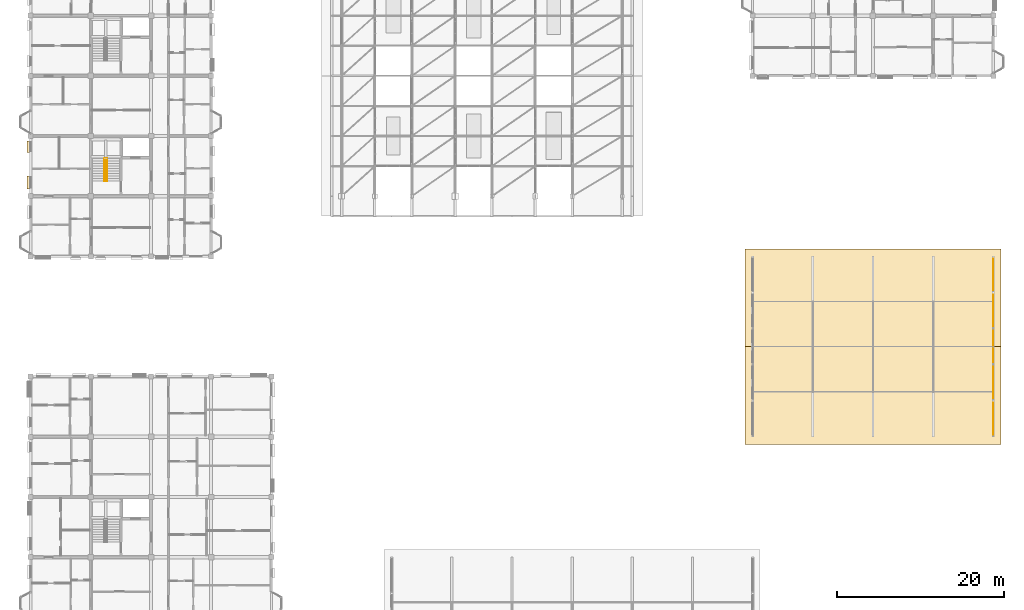
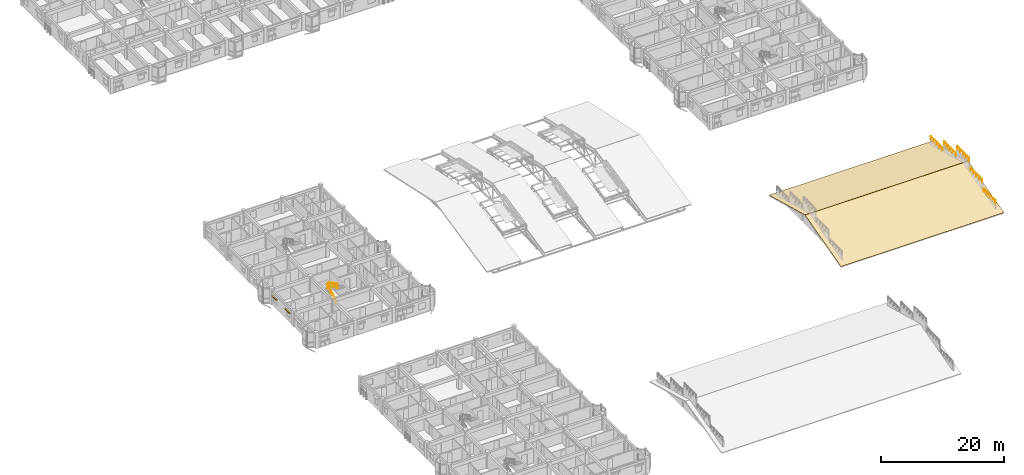
# One storey, part 117 of 124: 7 railings, 4 coverings.
"""IFC4 building model written with IfcOpenShell, lengths in metres."""

from ifc_helpers import new_model, si_unit, direction, frame, origin, origin_2d, place, context, subcontext, project, spatial, polyline, rectangle, circle, outline, extrude, material, layer, layer_set, type_object, element, save


model = new_model("IFC4")

# Units and contexts
model_context = context("Model", 3, precision=1e-05, world=origin(), true_north=direction((0.0, 1.0)))
body_context = subcontext(model_context, "Body", "Model", "MODEL_VIEW")
ifc_project = project(units=[si_unit("LENGTHUNIT", "METRE"), si_unit("AREAUNIT", "SQUARE_METRE"), si_unit("VOLUMEUNIT", "CUBIC_METRE"), si_unit("PLANEANGLEUNIT", "RADIAN"), si_unit("MASSUNIT", "GRAM", prefix="KILO"), si_unit("THERMODYNAMICTEMPERATUREUNIT", "KELVIN"), si_unit("POWERUNIT", "WATT")], contexts=[model_context])

# Site, building, storey
site_placement = place(None, origin())
site = spatial("IfcSite", under=ifc_project, at=site_placement, CompositionType="ELEMENT")
building_placement = place(site_placement, origin())
building = spatial("IfcBuilding", under=site, at=building_placement, Name="Tavuni Mirador Residences", CompositionType="ELEMENT")
storey_placement = place(building_placement, frame((0.0, 0.0, 7.64990234375)))
storey = spatial("IfcBuildingStorey", under=building, at=storey_placement, Name="L02", CompositionType="ELEMENT", Elevation=7.64990234375)

# Coverings
ifc_material_1 = material(Name="Natural coral limestone", Category="masonry")
ifc_layer_1 = layer(ifc_material_1, 0.054931640625, Name="Natural coral limestone", Category="masonry")
ifc_layer_set_1 = layer_set([ifc_layer_1], Name="Natural coral limestone")
covering_type_1 = type_object("IfcCoveringType", Name="CVT-CLAD-CORAL", PredefinedType="CLADDING", material=ifc_layer_set_1)
covering_1_placement = place(storey_placement, frame((3.305419921875, 77.909912109375, 1.955078125), z_axis=(0.0, 0.0, 1.0), x_axis=(0.0, -1.0, 0.0)))
element("IfcCovering", 1, at=covering_1_placement, inside=storey, type_object=covering_type_1, Name="HOOD-0383", PredefinedType="CLADDING", context=body_context, shape_type="SweptSolid", body=[
    extrude(rectangle(XDim=1.419921875, YDim=0.25, at=origin_2d()), origin(), (0.0, 0.0, 1.0), 0.14990234375),
])
covering_2_placement = place(storey_placement, frame((3.305419921875, 73.6298828125, 1.955078125), z_axis=(0.0, 0.0, 1.0), x_axis=(0.0, -1.0, 0.0)))
element("IfcCovering", 2, at=covering_2_placement, inside=storey, type_object=covering_type_1, Name="HOOD-0384", PredefinedType="CLADDING", context=body_context, shape_type="SweptSolid", body=[
    extrude(rectangle(XDim=1.580078125, YDim=0.25, at=origin_2d()), origin(), (0.0, 0.0, 1.0), 0.14990234375),
])
ifc_material_2 = material(Name="Glazed ceramic roof tile", Category="masonry")
ifc_layer_2 = layer(ifc_material_2, 0.044921875, Name="Glazed ceramic roof tile", Category="masonry")
ifc_layer_set_2 = layer_set([ifc_layer_2], Name="Glazed ceramic roof tile")
covering_type_2 = type_object("IfcCoveringType", Name="CVT-ROOF-TILE", PredefinedType="ROOFING", material=ifc_layer_set_2)
for number, where, z_axis, x_axis, name in (
    (3, (89.10009765625, 42.300048828125, -0.196533203125), (0.0, -0.259575572579, 0.965722797764), (1.0, 0.0, 0.0), "COV-RF-PAV-NURS-S"),
    (4, (89.10009765625, 54.011962890625, 2.945068359375), (0.0, 0.259575572579, 0.965722797764), (1.0, 0.0, 0.0), "COV-RF-PAV-NURS-N"),
):
    element("IfcCovering", number, at=place(storey_placement, frame(where, z_axis=z_axis, x_axis=x_axis)), inside=storey, type_object=covering_type_2, Name=name, PredefinedType="ROOFING", context=body_context, shape_type="SweptSolid", body=[
        extrude(outline(polyline([(0.0, 0.0), (30.599853515625, 0.0), (30.599853515625, 12.10283976759751), (0.0, 12.10283976759751), (0.0, 0.0)])), origin(), (0.0, 0.0, -1.0), 0.044921875),
    ])

# Railings
ifc_material_3 = material(Name="Structural steel S355", Category="steel")
railing_type_1 = type_object("IfcRailingType", Name="RT-CR650", PredefinedType="BALUSTRADE", material=ifc_material_3)
for number, where, name in (
    (5, (118.800048828125, 43.489990234375, 1.18017578125), "CREST-PAV-NURS-X1-0"),
    (6, (118.800048828125, 47.81005859375, 2.739990234375), "CREST-PAV-NURS-X1-1"),
):
    element("IfcRailing", number, at=place(storey_placement, frame(where)), inside=storey, type_object=railing_type_1, Name=name, PredefinedType="BALUSTRADE", context=body_context, shape_type="SweptSolid", body=[
        extrude(circle(Radius=0.02392578125, at=origin_2d()), frame((0.0, 0.0, 0.6259765625), z_axis=(0.0, 1.0, 0.0), x_axis=(-1.0, 0.0, 0.0)), (0.0, 0.0, 1.0), 3.739990234375),
        extrude(circle(Radius=0.02099609375, at=origin_2d()), origin(), (0.0, 0.0, 1.0), 0.601806640625),
        extrude(circle(Radius=0.02099609375, at=origin_2d()), frame((0.0, 0.93505859375, 0.0)), (0.0, 0.0, 1.0), 0.601806640625),
        extrude(circle(Radius=0.02099609375, at=origin_2d()), frame((0.0, 1.8701171875, 0.0)), (0.0, 0.0, 1.0), 0.601806640625),
        extrude(circle(Radius=0.02099609375, at=origin_2d()), frame((0.0, 2.804931640625, 0.0)), (0.0, 0.0, 1.0), 0.601806640625),
        extrude(circle(Radius=0.02099609375, at=origin_2d()), frame((0.0, 3.739990234375, 0.0)), (0.0, 0.0, 1.0), 0.601806640625),
    ])
railing_1_placement = place(storey_placement, frame((118.800048828125, 52.1298828125, 4.400146484375)))
element("IfcRailing", 7, at=railing_1_placement, inside=storey, type_object=railing_type_1, Name="CREST-PAV-NURS-X1-2", PredefinedType="BALUSTRADE", context=body_context, shape_type="SweptSolid", body=[
    extrude(circle(Radius=0.02392578125, at=origin_2d()), frame((0.0, 0.0, 0.6259765625), z_axis=(0.0, 1.0, 0.0), x_axis=(-1.0, 0.0, 0.0)), (0.0, 0.0, 1.0), 3.740234375),
    extrude(circle(Radius=0.02099609375, at=origin_2d()), origin(), (0.0, 0.0, 1.0), 0.601806640625),
    extrude(circle(Radius=0.02099609375, at=origin_2d()), frame((0.0, 0.93505859375, 0.0)), (0.0, 0.0, 1.0), 0.601806640625),
    extrude(circle(Radius=0.02099609375, at=origin_2d()), frame((0.0, 1.8701171875, 0.0)), (0.0, 0.0, 1.0), 0.601806640625),
    extrude(circle(Radius=0.02099609375, at=origin_2d()), frame((0.0, 2.80517578125, 0.0)), (0.0, 0.0, 1.0), 0.601806640625),
    extrude(circle(Radius=0.02099609375, at=origin_2d()), frame((0.0, 3.740234375, 0.0)), (0.0, 0.0, 1.0), 0.601806640625),
])
for number, where, name in (
    (8, (118.800048828125, 56.449951171875, 2.739990234375), "CREST-PAV-NURS-X1-3"),
    (9, (118.800048828125, 60.77001953125, 1.18017578125), "CREST-PAV-NURS-X1-4"),
):
    element("IfcRailing", number, at=place(storey_placement, frame(where)), inside=storey, type_object=railing_type_1, Name=name, PredefinedType="BALUSTRADE", context=body_context, shape_type="SweptSolid", body=[
        extrude(circle(Radius=0.02392578125, at=origin_2d()), frame((0.0, 0.0, 0.6259765625), z_axis=(0.0, 1.0, 0.0), x_axis=(-1.0, 0.0, 0.0)), (0.0, 0.0, 1.0), 3.739990234375),
        extrude(circle(Radius=0.02099609375, at=origin_2d()), origin(), (0.0, 0.0, 1.0), 0.601806640625),
        extrude(circle(Radius=0.02099609375, at=origin_2d()), frame((0.0, 0.93505859375, 0.0)), (0.0, 0.0, 1.0), 0.601806640625),
        extrude(circle(Radius=0.02099609375, at=origin_2d()), frame((0.0, 1.8701171875, 0.0)), (0.0, 0.0, 1.0), 0.601806640625),
        extrude(circle(Radius=0.02099609375, at=origin_2d()), frame((0.0, 2.804931640625, 0.0)), (0.0, 0.0, 1.0), 0.601806640625),
        extrude(circle(Radius=0.02099609375, at=origin_2d()), frame((0.0, 3.739990234375, 0.0)), (0.0, 0.0, 1.0), 0.601806640625),
    ])
railing_type_2 = type_object("IfcRailingType", Name="RT-HR920", PredefinedType="HANDRAIL", material=ifc_material_3)
railing_2_placement = place(storey_placement, frame((12.449951171875, 73.800048828125, 0.15771484375)))
element("IfcRailing", 10, at=railing_2_placement, inside=storey, type_object=railing_type_2, Name="HR-ST3-L02-F1", PredefinedType="HANDRAIL", context=body_context, shape_type="SweptSolid", body=[
    extrude(circle(Radius=0.02392578125, at=origin_2d()), frame((0.0, 0.0, 0.89599609375), z_axis=(0.0, 0.885397079081, 0.464835468048), x_axis=(-1.0, 0.0, 0.0)), (0.0, 0.0, 1.0), 3.04931640625),
    extrude(circle(Radius=0.02099609375, at=origin_2d()), origin(), (0.0, 0.0, 1.0), 0.871826171875),
    extrude(circle(Radius=0.02099609375, at=origin_2d()), frame((0.0, 0.89990234375, 0.472412109375)), (0.0, 0.0, 1.0), 0.871826171875),
    extrude(circle(Radius=0.02099609375, at=origin_2d()), frame((0.0, 1.800048828125, 0.945068359375)), (0.0, 0.0, 1.0), 0.871826171875),
    extrude(circle(Radius=0.02099609375, at=origin_2d()), frame((0.0, 2.699951171875, 1.41748046875)), (0.0, 0.0, 1.0), 0.871826171875),
])
railing_3_placement = place(storey_placement, frame((12.75, 76.5, 1.732666015625)))
element("IfcRailing", 11, at=railing_3_placement, inside=storey, type_object=railing_type_2, Name="HR-ST3-L02-F2", PredefinedType="HANDRAIL", context=body_context, shape_type="SweptSolid", body=[
    extrude(circle(Radius=0.02392578125, at=origin_2d()), frame((0.0, 0.0, 0.89599609375), z_axis=(0.0, -0.885397079081, 0.464835468048), x_axis=(1.0, 0.0, 0.0)), (0.0, 0.0, 1.0), 3.04931640625),
    extrude(circle(Radius=0.02099609375, at=origin_2d()), origin(), (0.0, 0.0, 1.0), 0.871826171875),
    extrude(circle(Radius=0.02099609375, at=origin_2d()), frame((0.0, -0.89990234375, 0.472412109375)), (0.0, 0.0, 1.0), 0.871826171875),
    extrude(circle(Radius=0.02099609375, at=origin_2d()), frame((0.0, -1.800048828125, 0.945068359375)), (0.0, 0.0, 1.0), 0.871826171875),
    extrude(circle(Radius=0.02099609375, at=origin_2d()), frame((0.0, -2.699951171875, 1.41748046875)), (0.0, 0.0, 1.0), 0.871826171875),
])

save(model, "model.ifc")
